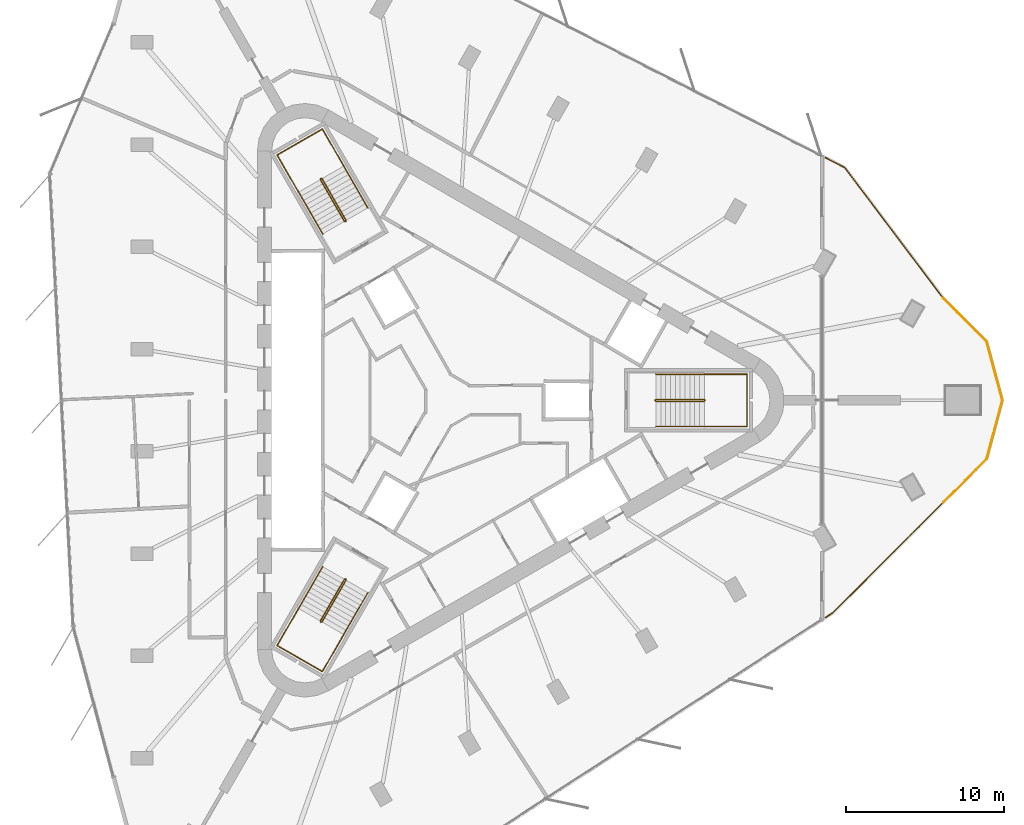
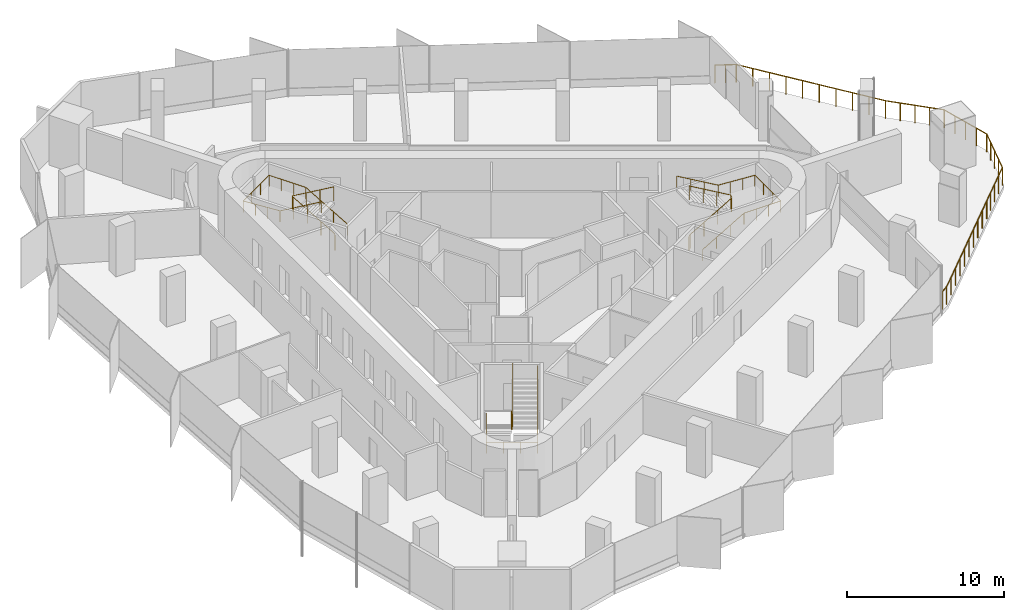
# One storey, part 12 of 12: 10 railings.
"""IFC4 building model written with IfcOpenShell, lengths in metres."""

from ifc_helpers import new_model, si_unit, direction, frame, origin, origin_2d, place, context, subcontext, project, spatial, circle, extrude, material, type_object, element, save


model = new_model("IFC4")

# Units and contexts
model_context = context("Model", 3, precision=1e-05, world=origin(), true_north=direction((0.0, 1.0)))
body_context = subcontext(model_context, "Body", "Model", "MODEL_VIEW")
ifc_project = project(units=[si_unit("LENGTHUNIT", "METRE"), si_unit("AREAUNIT", "SQUARE_METRE"), si_unit("VOLUMEUNIT", "CUBIC_METRE"), si_unit("PLANEANGLEUNIT", "RADIAN"), si_unit("MASSUNIT", "GRAM", prefix="KILO")], contexts=[model_context])

# Site, building, storey
site_placement = place(None, origin())
site = spatial("IfcSite", under=ifc_project, at=site_placement, CompositionType="ELEMENT")
building_placement = place(site_placement, origin())
building = spatial("IfcBuilding", under=site, at=building_placement, Name="Tanit Gate Tower", CompositionType="ELEMENT")
storey_placement = place(building_placement, frame((0.0, 0.0, 361.10009765625)))
storey = spatial("IfcBuildingStorey", under=building, at=storey_placement, Name="L82", CompositionType="ELEMENT", Elevation=361.10009765625)

# Railings
ifc_material_1 = material(Name="Stainless steel", Category="steel")
railing_type_1 = type_object("IfcRailingType", Name="Guard 1400 viewing deck balustrade", PredefinedType="GUARDRAIL", material=ifc_material_1)
railing_1_placement = place(storey_placement, frame((23.800048828125, 15.33203125, 0.0)))
element("IfcRailing", 1, at=railing_1_placement, inside=storey, type_object=railing_type_1, Name="Portal balcony guard 1", PredefinedType="GUARDRAIL", context=body_context, shape_type="SweptSolid", body=[
    extrude(circle(Radius=0.02392578125, at=origin_2d()), frame((0.0, 0.0, 1.3759765625), z_axis=(0.890857895164, -0.454282082658, 0.0), x_axis=(0.454282082658, 0.890857895164, 0.0)), (0.0, 0.0, 1.0), 1.364990234375),
    extrude(circle(Radius=0.02392578125, at=origin_2d()), frame((1.216064453125, -0.6201171875, 1.3759765625), z_axis=(0.602520542659, -0.798103374052, 0.0), x_axis=(0.798103374052, 0.602520542659, 0.0)), (0.0, 0.0, 1.0), 10.355712890625),
    extrude(circle(Radius=0.02099609375, at=origin_2d()), origin(), (0.0, 0.0, 1.0), 1.351806640625),
    extrude(circle(Radius=0.02099609375, at=origin_2d()), frame((0.60791015625, -0.31005859375, 0.0)), (0.0, 0.0, 1.0), 1.351806640625),
    extrude(circle(Radius=0.02099609375, at=origin_2d()), frame((1.216064453125, -0.6201171875, 0.0)), (0.0, 0.0, 1.0), 1.351806640625),
    extrude(circle(Radius=0.02099609375, at=origin_2d()), frame((1.909423828125, -1.538330078125, 0.0)), (0.0, 0.0, 1.0), 1.351806640625),
    extrude(circle(Radius=0.02099609375, at=origin_2d()), frame((2.6025390625, -2.456787109375, 0.0)), (0.0, 0.0, 1.0), 1.351806640625),
    extrude(circle(Radius=0.02099609375, at=origin_2d()), frame((3.2958984375, -3.375, 0.0)), (0.0, 0.0, 1.0), 1.351806640625),
    extrude(circle(Radius=0.02099609375, at=origin_2d()), frame((3.9892578125, -4.29345703125, 0.0)), (0.0, 0.0, 1.0), 1.351806640625),
    extrude(circle(Radius=0.02099609375, at=origin_2d()), frame((4.682373046875, -5.211669921875, 0.0)), (0.0, 0.0, 1.0), 1.351806640625),
    extrude(circle(Radius=0.02099609375, at=origin_2d()), frame((5.375732421875, -6.130126953125, 0.0)), (0.0, 0.0, 1.0), 1.351806640625),
    extrude(circle(Radius=0.02099609375, at=origin_2d()), frame((6.069091796875, -7.04833984375, 0.0)), (0.0, 0.0, 1.0), 1.351806640625),
    extrude(circle(Radius=0.02099609375, at=origin_2d()), frame((6.76220703125, -7.966796875, 0.0)), (0.0, 0.0, 1.0), 1.351806640625),
    extrude(circle(Radius=0.02099609375, at=origin_2d()), frame((7.45556640625, -8.885009765625, 0.0)), (0.0, 0.0, 1.0), 1.351806640625),
])
railing_2_placement = place(storey_placement, frame((31.255615234375, 6.447021484375, 0.0)))
element("IfcRailing", 2, at=railing_2_placement, inside=storey, type_object=railing_type_1, Name="Portal balcony guard 1", PredefinedType="GUARDRAIL", context=body_context, shape_type="SweptSolid", body=[
    extrude(circle(Radius=0.02392578125, at=origin_2d()), frame((0.0, 0.0, 1.3759765625), z_axis=(0.707106781187, -0.707106781187, 0.0), x_axis=(0.707106781187, 0.707106781187, 0.0)), (0.0, 0.0, 1.0), 3.873291015625),
    extrude(circle(Radius=0.02392578125, at=origin_2d()), frame((2.73876953125, -2.73876953125, 1.3759765625), z_axis=(0.258826148296, -0.965923922966, 0.0), x_axis=(0.965923922966, 0.258826148296, 0.0)), (0.0, 0.0, 1.0), 3.839111328125),
    extrude(circle(Radius=0.02099609375, at=origin_2d()), origin(), (0.0, 0.0, 1.0), 1.351806640625),
    extrude(circle(Radius=0.02099609375, at=origin_2d()), frame((0.6845703125, -0.6845703125, 0.0)), (0.0, 0.0, 1.0), 1.351806640625),
    extrude(circle(Radius=0.02099609375, at=origin_2d()), frame((1.369384765625, -1.369384765625, 0.0)), (0.0, 0.0, 1.0), 1.351806640625),
    extrude(circle(Radius=0.02099609375, at=origin_2d()), frame((2.05419921875, -2.05419921875, 0.0)), (0.0, 0.0, 1.0), 1.351806640625),
    extrude(circle(Radius=0.02099609375, at=origin_2d()), frame((2.73876953125, -2.73876953125, 0.0)), (0.0, 0.0, 1.0), 1.351806640625),
    extrude(circle(Radius=0.02099609375, at=origin_2d()), frame((2.9873046875, -3.665771484375, 0.0)), (0.0, 0.0, 1.0), 1.351806640625),
    extrude(circle(Radius=0.02099609375, at=origin_2d()), frame((3.235595703125, -4.5927734375, 0.0)), (0.0, 0.0, 1.0), 1.351806640625),
    extrude(circle(Radius=0.02099609375, at=origin_2d()), frame((3.48388671875, -5.52001953125, 0.0)), (0.0, 0.0, 1.0), 1.351806640625),
    extrude(circle(Radius=0.02099609375, at=origin_2d()), frame((3.732421875, -6.447021484375, 0.0)), (0.0, 0.0, 1.0), 1.351806640625),
])
railing_3_placement = place(storey_placement, frame((34.988037109375, 0.0, 0.0)))
element("IfcRailing", 3, at=railing_3_placement, inside=storey, type_object=railing_type_1, Name="Portal balcony guard 1", PredefinedType="GUARDRAIL", context=body_context, shape_type="SweptSolid", body=[
    extrude(circle(Radius=0.02392578125, at=origin_2d()), frame((0.0, 0.0, 1.3759765625), z_axis=(-0.258826148296, -0.965923922966, 0.0), x_axis=(0.965923922966, -0.258826148296, 0.0)), (0.0, 0.0, 1.0), 3.839111328125),
    extrude(circle(Radius=0.02392578125, at=origin_2d()), frame((-0.99365234375, -3.708251953125, 1.3759765625), z_axis=(-0.707106781187, -0.707106781187, 0.0), x_axis=(0.707106781187, -0.707106781187, 0.0)), (0.0, 0.0, 1.0), 3.865966796875),
    extrude(circle(Radius=0.02099609375, at=origin_2d()), origin(), (0.0, 0.0, 1.0), 1.351806640625),
    extrude(circle(Radius=0.02099609375, at=origin_2d()), frame((-0.24853515625, -0.927001953125, 0.0)), (0.0, 0.0, 1.0), 1.351806640625),
    extrude(circle(Radius=0.02099609375, at=origin_2d()), frame((-0.496826171875, -1.85400390625, 0.0)), (0.0, 0.0, 1.0), 1.351806640625),
    extrude(circle(Radius=0.02099609375, at=origin_2d()), frame((-0.7451171875, -2.78125, 0.0)), (0.0, 0.0, 1.0), 1.351806640625),
    extrude(circle(Radius=0.02099609375, at=origin_2d()), frame((-0.99365234375, -3.708251953125, 0.0)), (0.0, 0.0, 1.0), 1.351806640625),
    extrude(circle(Radius=0.02099609375, at=origin_2d()), frame((-1.677001953125, -4.3916015625, 0.0)), (0.0, 0.0, 1.0), 1.351806640625),
    extrude(circle(Radius=0.02099609375, at=origin_2d()), frame((-2.3603515625, -5.0751953125, 0.0)), (0.0, 0.0, 1.0), 1.351806640625),
    extrude(circle(Radius=0.02099609375, at=origin_2d()), frame((-3.0439453125, -5.758544921875, 0.0)), (0.0, 0.0, 1.0), 1.351806640625),
    extrude(circle(Radius=0.02099609375, at=origin_2d()), frame((-3.727294921875, -6.44189453125, 0.0)), (0.0, 0.0, 1.0), 1.351806640625),
])
railing_4_placement = place(storey_placement, frame((31.2607421875, -6.44189453125, 0.0)))
element("IfcRailing", 4, at=railing_4_placement, inside=storey, type_object=railing_type_1, Name="Portal balcony guard 1", PredefinedType="GUARDRAIL", context=body_context, shape_type="SweptSolid", body=[
    extrude(circle(Radius=0.02392578125, at=origin_2d()), frame((0.0, 0.0, 1.3759765625), z_axis=(-0.707329215627, -0.706884276753, 0.0), x_axis=(0.706884276753, -0.707329215627, 0.0)), (0.0, 0.0, 1.0), 9.876708984375),
    extrude(circle(Radius=0.02392578125, at=origin_2d()), frame((-6.986083984375, -6.981689453125, 1.3759765625), z_axis=(-0.838955961804, -0.54419931473, 0.0), x_axis=(0.54419931473, -0.838955961804, 0.0)), (0.0, 0.0, 1.0), 0.565673828125),
    extrude(circle(Radius=0.02099609375, at=origin_2d()), origin(), (0.0, 0.0, 1.0), 1.351806640625),
    extrude(circle(Radius=0.02099609375, at=origin_2d()), frame((-0.776123046875, -0.775634765625, 0.0)), (0.0, 0.0, 1.0), 1.351806640625),
    extrude(circle(Radius=0.02099609375, at=origin_2d()), frame((-1.552490234375, -1.551513671875, 0.0)), (0.0, 0.0, 1.0), 1.351806640625),
    extrude(circle(Radius=0.02099609375, at=origin_2d()), frame((-2.32861328125, -2.3271484375, 0.0)), (0.0, 0.0, 1.0), 1.351806640625),
    extrude(circle(Radius=0.02099609375, at=origin_2d()), frame((-3.10498046875, -3.10302734375, 0.0)), (0.0, 0.0, 1.0), 1.351806640625),
    extrude(circle(Radius=0.02099609375, at=origin_2d()), frame((-3.881103515625, -3.878662109375, 0.0)), (0.0, 0.0, 1.0), 1.351806640625),
    extrude(circle(Radius=0.02099609375, at=origin_2d()), frame((-4.657470703125, -4.654541015625, 0.0)), (0.0, 0.0, 1.0), 1.351806640625),
    extrude(circle(Radius=0.02099609375, at=origin_2d()), frame((-5.43359375, -5.43017578125, 0.0)), (0.0, 0.0, 1.0), 1.351806640625),
    extrude(circle(Radius=0.02099609375, at=origin_2d()), frame((-6.2099609375, -6.2060546875, 0.0)), (0.0, 0.0, 1.0), 1.351806640625),
    extrude(circle(Radius=0.02099609375, at=origin_2d()), frame((-6.986083984375, -6.981689453125, 0.0)), (0.0, 0.0, 1.0), 1.351806640625),
    extrude(circle(Radius=0.02099609375, at=origin_2d()), frame((-7.460693359375, -7.28955078125, 0.0)), (0.0, 0.0, 1.0), 1.351806640625),
])
ifc_material_2 = material(Name="Stainless steel balustrade", Category="steel")
railing_type_2 = type_object("IfcRailingType", Name="INT-STAIR-GUARD", PredefinedType="GUARDRAIL", material=ifc_material_2)
railing_5_placement = place(storey_placement, frame((13.044921875, 0.0048828125, 0.0)))
element("IfcRailing", 5, at=railing_5_placement, inside=storey, type_object=railing_type_2, Name="L82 S1 stair guard 1", PredefinedType="GUARDRAIL", context=body_context, shape_type="SweptSolid", body=[
    extrude(circle(Radius=0.02392578125, at=origin_2d()), frame((0.0, 0.0, 1.076171875), z_axis=(0.0, -1.0, 0.0), x_axis=(1.0, 0.0, 0.0)), (0.0, 0.0, 1.0), 0.009765625),
    extrude(circle(Radius=0.02392578125, at=origin_2d()), frame((0.0, -0.009765625, 1.076171875), z_axis=(0.262233686654, -0.262233686654, 0.928691007369), x_axis=(0.707106781187, 0.707106781187, 0.0)), (0.0, 0.0, 1.0), 0.19091796875),
    extrude(circle(Radius=0.02392578125, at=origin_2d()), frame((0.050048828125, -0.059814453125, 1.25341796875), z_axis=(0.864648382064, 0.0, 0.502377522779), x_axis=(0.0, 1.0, 0.0)), (0.0, 0.0, 1.0), 3.528564453125),
    extrude(circle(Radius=0.02392578125, at=origin_2d()), frame((3.10107421875, -0.059814453125, 3.02587890625), z_axis=(0.707106781187, 0.707106781187, 0.0), x_axis=(-0.707106781187, 0.707106781187, 0.0)), (0.0, 0.0, 1.0), 0.07080078125),
    extrude(circle(Radius=0.02392578125, at=origin_2d()), frame((3.151123046875, -0.009765625, 3.02587890625), z_axis=(0.0, 1.0, 0.0), x_axis=(-1.0, 0.0, 0.0)), (0.0, 0.0, 1.0), 0.009765625),
    extrude(circle(Radius=0.02392578125, at=origin_2d()), frame((3.151123046875, 0.0, 3.02587890625), z_axis=(-0.262233686654, 0.262233686654, 0.928691007369), x_axis=(-0.707106781187, -0.707106781187, 0.0)), (0.0, 0.0, 1.0), 0.19091796875),
    extrude(circle(Radius=0.02392578125, at=origin_2d()), frame((3.10107421875, 0.050048828125, 3.203125), z_axis=(-0.864648382064, 0.0, 0.502377522779), x_axis=(0.0, -1.0, 0.0)), (0.0, 0.0, 1.0), 3.528564453125),
    extrude(circle(Radius=0.02099609375, at=origin_2d()), origin(), (0.0, 0.0, 1.0), 1.052001953125),
    extrude(circle(Radius=0.02099609375, at=origin_2d()), frame((0.0, -0.009765625, 0.0)), (0.0, 0.0, 1.0), 1.052001953125),
    extrude(circle(Radius=0.02099609375, at=origin_2d()), frame((0.050048828125, -0.059814453125, 0.17724609375)), (0.0, 0.0, 1.0), 1.052001953125),
    extrude(circle(Radius=0.02099609375, at=origin_2d()), frame((1.067138671875, -0.059814453125, 0.76806640625)), (0.0, 0.0, 1.0), 1.052001953125),
    extrude(circle(Radius=0.02099609375, at=origin_2d()), frame((2.083984375, -0.059814453125, 1.359130859375)), (0.0, 0.0, 1.0), 1.052001953125),
    extrude(circle(Radius=0.02099609375, at=origin_2d()), frame((3.10107421875, -0.059814453125, 1.949951171875)), (0.0, 0.0, 1.0), 1.052001953125),
    extrude(circle(Radius=0.02099609375, at=origin_2d()), frame((3.151123046875, -0.009765625, 1.949951171875)), (0.0, 0.0, 1.0), 1.052001953125),
    extrude(circle(Radius=0.02099609375, at=origin_2d()), frame((3.151123046875, 0.0, 1.949951171875)), (0.0, 0.0, 1.0), 1.052001953125),
    extrude(circle(Radius=0.02099609375, at=origin_2d()), frame((3.10107421875, 0.050048828125, 2.127197265625)), (0.0, 0.0, 1.0), 1.052001953125),
    extrude(circle(Radius=0.02099609375, at=origin_2d()), frame((2.083984375, 0.050048828125, 2.718017578125)), (0.0, 0.0, 1.0), 1.052001953125),
    extrude(circle(Radius=0.02099609375, at=origin_2d()), frame((1.067138671875, 0.050048828125, 3.30908203125)), (0.0, 0.0, 1.0), 1.052001953125),
    extrude(circle(Radius=0.02099609375, at=origin_2d()), frame((0.050048828125, 0.050048828125, 3.89990234375)), (0.0, 0.0, 1.0), 1.052001953125),
])
railing_6_placement = place(storey_placement, frame((-6.527099609375, 11.29345703125, 0.0)))
element("IfcRailing", 6, at=railing_6_placement, inside=storey, type_object=railing_type_2, Name="L82 S2 stair guard 1", PredefinedType="GUARDRAIL", context=body_context, shape_type="SweptSolid", body=[
    extrude(circle(Radius=0.02392578125, at=origin_2d()), frame((0.0, 0.0, 1.076171875), z_axis=(0.868243142124, 0.496138938357, 0.0), x_axis=(-0.496138938357, 0.868243142124, 0.0)), (0.0, 0.0, 1.0), 0.01171875),
    extrude(circle(Radius=0.02392578125, at=origin_2d()), frame((0.01025390625, 0.005859375, 1.076171875), z_axis=(0.095941116058, 0.358180166617, 0.928710003441), x_axis=(-0.965948051503, 0.258736085224, 0.0)), (0.0, 0.0, 1.0), 0.19091796875),
    extrude(circle(Radius=0.02392578125, at=origin_2d()), frame((0.028564453125, 0.07421875, 1.25341796875), z_axis=(-0.4322777601, 0.748681545756, 0.50260509465), x_axis=(-0.866012246495, -0.500022788402, 0.0)), (0.0, 0.0, 1.0), 3.527099609375),
    extrude(circle(Radius=0.02392578125, at=origin_2d()), frame((-1.49609375, 2.71484375, 3.02587890625), z_axis=(-0.965715946433, 0.259601060869, 0.0), x_axis=(-0.259601060869, -0.965715946433, 0.0)), (0.0, 0.0, 1.0), 0.070556640625),
    extrude(circle(Radius=0.02392578125, at=origin_2d()), frame((-1.564208984375, 2.733154296875, 3.02587890625), z_axis=(-0.873197702015, -0.487366159264, 0.0), x_axis=(0.487366159264, -0.873197702015, 0.0)), (0.0, 0.0, 1.0), 0.011962890625),
    extrude(circle(Radius=0.02392578125, at=origin_2d()), frame((-1.57470703125, 2.727294921875, 3.02587890625), z_axis=(-0.095941116058, -0.358180166617, 0.928710003441), x_axis=(0.965948051503, -0.258736085224, 0.0)), (0.0, 0.0, 1.0), 0.19091796875),
    extrude(circle(Radius=0.02392578125, at=origin_2d()), frame((-1.593017578125, 2.658935546875, 3.203125), z_axis=(0.4322777601, -0.748681545756, 0.50260509465), x_axis=(0.866012246495, 0.500022788402, 0.0)), (0.0, 0.0, 1.0), 3.527099609375),
    extrude(circle(Radius=0.02099609375, at=origin_2d()), origin(), (0.0, 0.0, 1.0), 1.052001953125),
    extrude(circle(Radius=0.02099609375, at=origin_2d()), frame((0.01025390625, 0.005859375, 0.0)), (0.0, 0.0, 1.0), 1.052001953125),
    extrude(circle(Radius=0.02099609375, at=origin_2d()), frame((0.028564453125, 0.07421875, 0.17724609375)), (0.0, 0.0, 1.0), 1.052001953125),
    extrude(circle(Radius=0.02099609375, at=origin_2d()), frame((-0.479736328125, 0.954345703125, 0.76806640625)), (0.0, 0.0, 1.0), 1.052001953125),
    extrude(circle(Radius=0.02099609375, at=origin_2d()), frame((-0.98779296875, 1.834716796875, 1.359130859375)), (0.0, 0.0, 1.0), 1.052001953125),
    extrude(circle(Radius=0.02099609375, at=origin_2d()), frame((-1.49609375, 2.71484375, 1.949951171875)), (0.0, 0.0, 1.0), 1.052001953125),
    extrude(circle(Radius=0.02099609375, at=origin_2d()), frame((-1.564208984375, 2.733154296875, 1.949951171875)), (0.0, 0.0, 1.0), 1.052001953125),
    extrude(circle(Radius=0.02099609375, at=origin_2d()), frame((-1.57470703125, 2.727294921875, 1.949951171875)), (0.0, 0.0, 1.0), 1.052001953125),
    extrude(circle(Radius=0.02099609375, at=origin_2d()), frame((-1.593017578125, 2.658935546875, 2.127197265625)), (0.0, 0.0, 1.0), 1.052001953125),
    extrude(circle(Radius=0.02099609375, at=origin_2d()), frame((-1.084716796875, 1.77880859375, 2.718017578125)), (0.0, 0.0, 1.0), 1.052001953125),
    extrude(circle(Radius=0.02099609375, at=origin_2d()), frame((-0.57666015625, 0.8984375, 3.30908203125)), (0.0, 0.0, 1.0), 1.052001953125),
    extrude(circle(Radius=0.02099609375, at=origin_2d()), frame((-0.068359375, 0.018310546875, 3.89990234375)), (0.0, 0.0, 1.0), 1.052001953125),
])
railing_7_placement = place(storey_placement, frame((-6.51806640625, -11.2998046875, 0.0)))
element("IfcRailing", 7, at=railing_7_placement, inside=storey, type_object=railing_type_2, Name="L82 S3 stair guard 1", PredefinedType="GUARDRAIL", context=body_context, shape_type="SweptSolid", body=[
    extrude(circle(Radius=0.02392578125, at=origin_2d()), frame((0.0, 0.0, 1.076171875), z_axis=(-0.874157276122, 0.485642931179, 0.0), x_axis=(-0.485642931179, -0.874157276122, 0.0)), (0.0, 0.0, 1.0), 0.010009765625),
    extrude(circle(Radius=0.02392578125, at=origin_2d()), frame((-0.0087890625, 0.0048828125, 1.076171875), z_axis=(-0.358223840744, -0.094673443625, 0.928823244215), x_axis=(0.255512919477, -0.966805641264, 0.0)), (0.0, 0.0, 1.0), 0.19091796875),
    extrude(circle(Radius=0.02392578125, at=origin_2d()), frame((-0.0771484375, -0.01318359375, 1.25341796875), z_axis=(-0.432289778901, -0.748827189027, 0.502377734411), x_axis=(0.866048339477, -0.499960272111, 0.0)), (0.0, 0.0, 1.0), 3.528564453125),
    extrude(circle(Radius=0.02392578125, at=origin_2d()), frame((-1.6025390625, -2.655517578125, 3.02587890625), z_axis=(0.258736085224, -0.965948051503, 0.0), x_axis=(0.965948051503, 0.258736085224, 0.0)), (0.0, 0.0, 1.0), 0.07080078125),
    extrude(circle(Radius=0.02392578125, at=origin_2d()), frame((-1.584228515625, -2.723876953125, 3.02587890625), z_axis=(0.868243142124, -0.496138938357, 0.0), x_axis=(0.496138938357, 0.868243142124, 0.0)), (0.0, 0.0, 1.0), 0.009765625),
    extrude(circle(Radius=0.02392578125, at=origin_2d()), frame((-1.57568359375, -2.728759765625, 3.02587890625), z_axis=(0.358180166617, 0.095941116058, 0.928710003441), x_axis=(-0.258736085224, 0.965948051503, 0.0)), (0.0, 0.0, 1.0), 0.19091796875),
    extrude(circle(Radius=0.02392578125, at=origin_2d()), frame((-1.50732421875, -2.71044921875, 3.203125), z_axis=(0.432368434633, 0.748774395838, 0.502388734816), x_axis=(-0.865993683553, 0.500054937028, 0.0)), (0.0, 0.0, 1.0), 3.528564453125),
    extrude(circle(Radius=0.02099609375, at=origin_2d()), origin(), (0.0, 0.0, 1.0), 1.052001953125),
    extrude(circle(Radius=0.02099609375, at=origin_2d()), frame((-0.0087890625, 0.0048828125, 0.0)), (0.0, 0.0, 1.0), 1.052001953125),
    extrude(circle(Radius=0.02099609375, at=origin_2d()), frame((-0.0771484375, -0.01318359375, 0.17724609375)), (0.0, 0.0, 1.0), 1.052001953125),
    extrude(circle(Radius=0.02099609375, at=origin_2d()), frame((-0.585693359375, -0.89404296875, 0.76806640625)), (0.0, 0.0, 1.0), 1.052001953125),
    extrude(circle(Radius=0.02099609375, at=origin_2d()), frame((-1.093994140625, -1.774658203125, 1.359130859375)), (0.0, 0.0, 1.0), 1.052001953125),
    extrude(circle(Radius=0.02099609375, at=origin_2d()), frame((-1.6025390625, -2.655517578125, 1.949951171875)), (0.0, 0.0, 1.0), 1.052001953125),
    extrude(circle(Radius=0.02099609375, at=origin_2d()), frame((-1.584228515625, -2.723876953125, 1.949951171875)), (0.0, 0.0, 1.0), 1.052001953125),
    extrude(circle(Radius=0.02099609375, at=origin_2d()), frame((-1.57568359375, -2.728759765625, 1.949951171875)), (0.0, 0.0, 1.0), 1.052001953125),
    extrude(circle(Radius=0.02099609375, at=origin_2d()), frame((-1.50732421875, -2.71044921875, 2.127197265625)), (0.0, 0.0, 1.0), 1.052001953125),
    extrude(circle(Radius=0.02099609375, at=origin_2d()), frame((-0.998779296875, -1.829833984375, 2.718017578125)), (0.0, 0.0, 1.0), 1.052001953125),
    extrude(circle(Radius=0.02099609375, at=origin_2d()), frame((-0.490234375, -0.948974609375, 3.30908203125)), (0.0, 0.0, 1.0), 1.052001953125),
    extrude(circle(Radius=0.02099609375, at=origin_2d()), frame((0.018310546875, -0.068359375, 3.89990234375)), (0.0, 0.0, 1.0), 1.052001953125),
])
ifc_material_3 = material(Name="Stainless steel handrail", Category="steel")
railing_type_3 = type_object("IfcRailingType", Name="INT-STAIR-HANDRAIL", PredefinedType="HANDRAIL", material=ifc_material_3)
railing_8_placement = place(storey_placement, frame((13.094970703125, -1.64990234375, 0.17724609375)))
element("IfcRailing", 8, at=railing_8_placement, inside=storey, type_object=railing_type_3, Name="L82 S1 stair handrail 1", PredefinedType="HANDRAIL", context=body_context, shape_type="SweptSolid", body=[
    extrude(circle(Radius=0.02392578125, at=origin_2d()), frame((0.0, 0.0, 0.8759765625), z_axis=(0.864648382064, 0.0, 0.502377522779), x_axis=(0.0, 1.0, 0.0)), (0.0, 0.0, 1.0), 3.528564453125),
    extrude(circle(Radius=0.02392578125, at=origin_2d()), frame((3.051025390625, 0.0, 2.6484375), z_axis=(1.0, 0.0, 0.0), x_axis=(0.0, 1.0, 0.0)), (0.0, 0.0, 1.0), 2.7041015625),
    extrude(circle(Radius=0.02392578125, at=origin_2d()), frame((5.755126953125, 0.0, 2.6484375), z_axis=(0.0, 1.0, 0.0), x_axis=(-1.0, 0.0, 0.0)), (0.0, 0.0, 1.0), 3.2998046875),
    extrude(circle(Radius=0.02392578125, at=origin_2d()), frame((5.755126953125, 3.2998046875, 2.6484375), z_axis=(-0.997858684482, 0.0, 0.065406771843), x_axis=(0.0, -1.0, 0.0)), (0.0, 0.0, 1.0), 2.7099609375),
    extrude(circle(Radius=0.02392578125, at=origin_2d()), frame((3.051025390625, 3.2998046875, 2.82568359375), z_axis=(-0.864648382064, 0.0, 0.502377522779), x_axis=(0.0, -1.0, 0.0)), (0.0, 0.0, 1.0), 3.528564453125),
    extrude(circle(Radius=0.02099609375, at=origin_2d()), origin(), (0.0, 0.0, 1.0), 0.851806640625),
    extrude(circle(Radius=0.02099609375, at=origin_2d()), frame((1.01708984375, 0.0, 0.5908203125)), (0.0, 0.0, 1.0), 0.851806640625),
    extrude(circle(Radius=0.02099609375, at=origin_2d()), frame((2.033935546875, 0.0, 1.181884765625)), (0.0, 0.0, 1.0), 0.851806640625),
    extrude(circle(Radius=0.02099609375, at=origin_2d()), frame((3.051025390625, 0.0, 1.772705078125)), (0.0, 0.0, 1.0), 0.851806640625),
    extrude(circle(Radius=0.02099609375, at=origin_2d()), frame((3.952392578125, 0.0, 1.772705078125)), (0.0, 0.0, 1.0), 0.851806640625),
    extrude(circle(Radius=0.02099609375, at=origin_2d()), frame((4.853759765625, 0.0, 1.772705078125)), (0.0, 0.0, 1.0), 0.851806640625),
    extrude(circle(Radius=0.02099609375, at=origin_2d()), frame((5.755126953125, 0.0, 1.772705078125)), (0.0, 0.0, 1.0), 0.851806640625),
    extrude(circle(Radius=0.02099609375, at=origin_2d()), frame((5.755126953125, 1.099853515625, 1.772705078125)), (0.0, 0.0, 1.0), 0.851806640625),
    extrude(circle(Radius=0.02099609375, at=origin_2d()), frame((5.755126953125, 2.199951171875, 1.772705078125)), (0.0, 0.0, 1.0), 0.851806640625),
    extrude(circle(Radius=0.02099609375, at=origin_2d()), frame((5.755126953125, 3.2998046875, 1.772705078125)), (0.0, 0.0, 1.0), 0.851806640625),
    extrude(circle(Radius=0.02099609375, at=origin_2d()), frame((4.853759765625, 3.2998046875, 1.831787109375)), (0.0, 0.0, 1.0), 0.851806640625),
    extrude(circle(Radius=0.02099609375, at=origin_2d()), frame((3.952392578125, 3.2998046875, 1.890869140625)), (0.0, 0.0, 1.0), 0.851806640625),
    extrude(circle(Radius=0.02099609375, at=origin_2d()), frame((3.051025390625, 3.2998046875, 1.949951171875)), (0.0, 0.0, 1.0), 0.851806640625),
    extrude(circle(Radius=0.02099609375, at=origin_2d()), frame((2.033935546875, 3.2998046875, 2.540771484375)), (0.0, 0.0, 1.0), 0.851806640625),
    extrude(circle(Radius=0.02099609375, at=origin_2d()), frame((1.01708984375, 3.2998046875, 3.1318359375)), (0.0, 0.0, 1.0), 0.851806640625),
    extrude(circle(Radius=0.02099609375, at=origin_2d()), frame((0.0, 3.2998046875, 3.72265625)), (0.0, 0.0, 1.0), 0.851806640625),
])
railing_9_placement = place(storey_placement, frame((-5.1181640625, 12.164794921875, 0.17724609375)))
element("IfcRailing", 9, at=railing_9_placement, inside=storey, type_object=railing_type_3, Name="L82 S2 stair handrail 1", PredefinedType="HANDRAIL", context=body_context, shape_type="SweptSolid", body=[
    extrude(circle(Radius=0.02392578125, at=origin_2d()), frame((0.0, 0.0, 0.8759765625), z_axis=(-0.432221472453, 0.748703947157, 0.502620133164), x_axis=(-0.866046917185, -0.499962735845, 0.0)), (0.0, 0.0, 1.0), 3.52685546875),
    extrude(circle(Radius=0.02392578125, at=origin_2d()), frame((-1.5244140625, 2.640625, 2.6484375), z_axis=(-0.500019123664, 0.86601436245, 0.0), x_axis=(-0.86601436245, -0.500019123664, 0.0)), (0.0, 0.0, 1.0), 2.70703125),
    extrude(circle(Radius=0.02392578125, at=origin_2d()), frame((-2.8779296875, 4.98486328125, 2.6484375), z_axis=(-0.866008176907, -0.50002983664, 0.0), x_axis=(0.50002983664, -0.866008176907, 0.0)), (0.0, 0.0, 1.0), 3.300048828125),
    extrude(circle(Radius=0.02392578125, at=origin_2d()), frame((-5.73583984375, 3.334716796875, 2.6484375), z_axis=(0.498989459885, -0.864141018102, 0.065343857842), x_axis=(0.865991810323, 0.500058181068, 0.0)), (0.0, 0.0, 1.0), 2.71240234375),
    extrude(circle(Radius=0.02392578125, at=origin_2d()), frame((-4.38232421875, 0.99072265625, 2.82568359375), z_axis=(0.432255358616, -0.748711963836, 0.502579048665), x_axis=(0.866032263162, 0.499988119021, 0.0)), (0.0, 0.0, 1.0), 3.527099609375),
    extrude(circle(Radius=0.02099609375, at=origin_2d()), origin(), (0.0, 0.0, 1.0), 0.851806640625),
    extrude(circle(Radius=0.02099609375, at=origin_2d()), frame((-0.508056640625, 0.880126953125, 0.5908203125)), (0.0, 0.0, 1.0), 0.851806640625),
    extrude(circle(Radius=0.02099609375, at=origin_2d()), frame((-1.016357421875, 1.760498046875, 1.181884765625)), (0.0, 0.0, 1.0), 0.851806640625),
    extrude(circle(Radius=0.02099609375, at=origin_2d()), frame((-1.5244140625, 2.640625, 1.772705078125)), (0.0, 0.0, 1.0), 0.851806640625),
    extrude(circle(Radius=0.02099609375, at=origin_2d()), frame((-1.9755859375, 3.422119140625, 1.772705078125)), (0.0, 0.0, 1.0), 0.851806640625),
    extrude(circle(Radius=0.02099609375, at=origin_2d()), frame((-2.4267578125, 4.203369140625, 1.772705078125)), (0.0, 0.0, 1.0), 0.851806640625),
    extrude(circle(Radius=0.02099609375, at=origin_2d()), frame((-2.8779296875, 4.98486328125, 1.772705078125)), (0.0, 0.0, 1.0), 0.851806640625),
    extrude(circle(Radius=0.02099609375, at=origin_2d()), frame((-3.83056640625, 4.434814453125, 1.772705078125)), (0.0, 0.0, 1.0), 0.851806640625),
    extrude(circle(Radius=0.02099609375, at=origin_2d()), frame((-4.783203125, 3.884765625, 1.772705078125)), (0.0, 0.0, 1.0), 0.851806640625),
    extrude(circle(Radius=0.02099609375, at=origin_2d()), frame((-5.73583984375, 3.334716796875, 1.772705078125)), (0.0, 0.0, 1.0), 0.851806640625),
    extrude(circle(Radius=0.02099609375, at=origin_2d()), frame((-5.28466796875, 2.553466796875, 1.831787109375)), (0.0, 0.0, 1.0), 0.851806640625),
    extrude(circle(Radius=0.02099609375, at=origin_2d()), frame((-4.83349609375, 1.77197265625, 1.890869140625)), (0.0, 0.0, 1.0), 0.851806640625),
    extrude(circle(Radius=0.02099609375, at=origin_2d()), frame((-4.38232421875, 0.99072265625, 1.949951171875)), (0.0, 0.0, 1.0), 0.851806640625),
    extrude(circle(Radius=0.02099609375, at=origin_2d()), frame((-3.8740234375, 0.1103515625, 2.540771484375)), (0.0, 0.0, 1.0), 0.851806640625),
    extrude(circle(Radius=0.02099609375, at=origin_2d()), frame((-3.365966796875, -0.769775390625, 3.1318359375)), (0.0, 0.0, 1.0), 0.851806640625),
    extrude(circle(Radius=0.02099609375, at=origin_2d()), frame((-2.857666015625, -1.650146484375, 3.72265625)), (0.0, 0.0, 1.0), 0.851806640625),
])
railing_10_placement = place(storey_placement, frame((-7.9765625, -10.515625, 0.17724609375)))
element("IfcRailing", 10, at=railing_10_placement, inside=storey, type_object=railing_type_3, Name="L82 S3 stair handrail 1", PredefinedType="HANDRAIL", context=body_context, shape_type="SweptSolid", body=[
    extrude(circle(Radius=0.02392578125, at=origin_2d()), frame((0.0, 0.0, 0.8759765625), z_axis=(-0.432289778901, -0.748827189027, 0.502377734411), x_axis=(0.866048339477, -0.499960272111, 0.0)), (0.0, 0.0, 1.0), 3.528564453125),
    extrude(circle(Radius=0.02392578125, at=origin_2d()), frame((-1.525390625, -2.642333984375, 2.6484375), z_axis=(-0.50004290449, -0.866000631449, 0.0), x_axis=(0.866000631449, -0.50004290449, 0.0)), (0.0, 0.0, 1.0), 2.703857421875),
    extrude(circle(Radius=0.02392578125, at=origin_2d()), frame((-2.87744140625, -4.98388671875, 2.6484375), z_axis=(0.866008176907, -0.50002983664, 0.0), x_axis=(0.50002983664, 0.866008176907, 0.0)), (0.0, 0.0, 1.0), 3.300048828125),
    extrude(circle(Radius=0.02392578125, at=origin_2d()), frame((-0.01953125, -6.634033203125, 2.6484375), z_axis=(0.498933124603, 0.864168748861, 0.065407267689), x_axis=(-0.866023205937, 0.500003806764, 0.0)), (0.0, 0.0, 1.0), 2.7099609375),
    extrude(circle(Radius=0.02392578125, at=origin_2d()), frame((1.33251953125, -4.292236328125, 2.82568359375), z_axis=(0.432289778901, 0.748827189027, 0.502377734411), x_axis=(-0.866048339477, 0.499960272111, 0.0)), (0.0, 0.0, 1.0), 3.528564453125),
    extrude(circle(Radius=0.02099609375, at=origin_2d()), origin(), (0.0, 0.0, 1.0), 0.851806640625),
    extrude(circle(Radius=0.02099609375, at=origin_2d()), frame((-0.508544921875, -0.880859375, 0.5908203125)), (0.0, 0.0, 1.0), 0.851806640625),
    extrude(circle(Radius=0.02099609375, at=origin_2d()), frame((-1.016845703125, -1.761474609375, 1.181884765625)), (0.0, 0.0, 1.0), 0.851806640625),
    extrude(circle(Radius=0.02099609375, at=origin_2d()), frame((-1.525390625, -2.642333984375, 1.772705078125)), (0.0, 0.0, 1.0), 0.851806640625),
    extrude(circle(Radius=0.02099609375, at=origin_2d()), frame((-1.97607421875, -3.4228515625, 1.772705078125)), (0.0, 0.0, 1.0), 0.851806640625),
    extrude(circle(Radius=0.02099609375, at=origin_2d()), frame((-2.4267578125, -4.203369140625, 1.772705078125)), (0.0, 0.0, 1.0), 0.851806640625),
    extrude(circle(Radius=0.02099609375, at=origin_2d()), frame((-2.87744140625, -4.98388671875, 1.772705078125)), (0.0, 0.0, 1.0), 0.851806640625),
    extrude(circle(Radius=0.02099609375, at=origin_2d()), frame((-1.9248046875, -5.533935546875, 1.772705078125)), (0.0, 0.0, 1.0), 0.851806640625),
    extrude(circle(Radius=0.02099609375, at=origin_2d()), frame((-0.97216796875, -6.083984375, 1.772705078125)), (0.0, 0.0, 1.0), 0.851806640625),
    extrude(circle(Radius=0.02099609375, at=origin_2d()), frame((-0.01953125, -6.634033203125, 1.772705078125)), (0.0, 0.0, 1.0), 0.851806640625),
    extrude(circle(Radius=0.02099609375, at=origin_2d()), frame((0.43115234375, -5.853515625, 1.831787109375)), (0.0, 0.0, 1.0), 0.851806640625),
    extrude(circle(Radius=0.02099609375, at=origin_2d()), frame((0.8818359375, -5.07275390625, 1.890869140625)), (0.0, 0.0, 1.0), 0.851806640625),
    extrude(circle(Radius=0.02099609375, at=origin_2d()), frame((1.33251953125, -4.292236328125, 1.949951171875)), (0.0, 0.0, 1.0), 0.851806640625),
    extrude(circle(Radius=0.02099609375, at=origin_2d()), frame((1.841064453125, -3.411376953125, 2.540771484375)), (0.0, 0.0, 1.0), 0.851806640625),
    extrude(circle(Radius=0.02099609375, at=origin_2d()), frame((2.349365234375, -2.53076171875, 3.1318359375)), (0.0, 0.0, 1.0), 0.851806640625),
    extrude(circle(Radius=0.02099609375, at=origin_2d()), frame((2.85791015625, -1.64990234375, 3.72265625)), (0.0, 0.0, 1.0), 0.851806640625),
])

save(model, "model.ifc")
